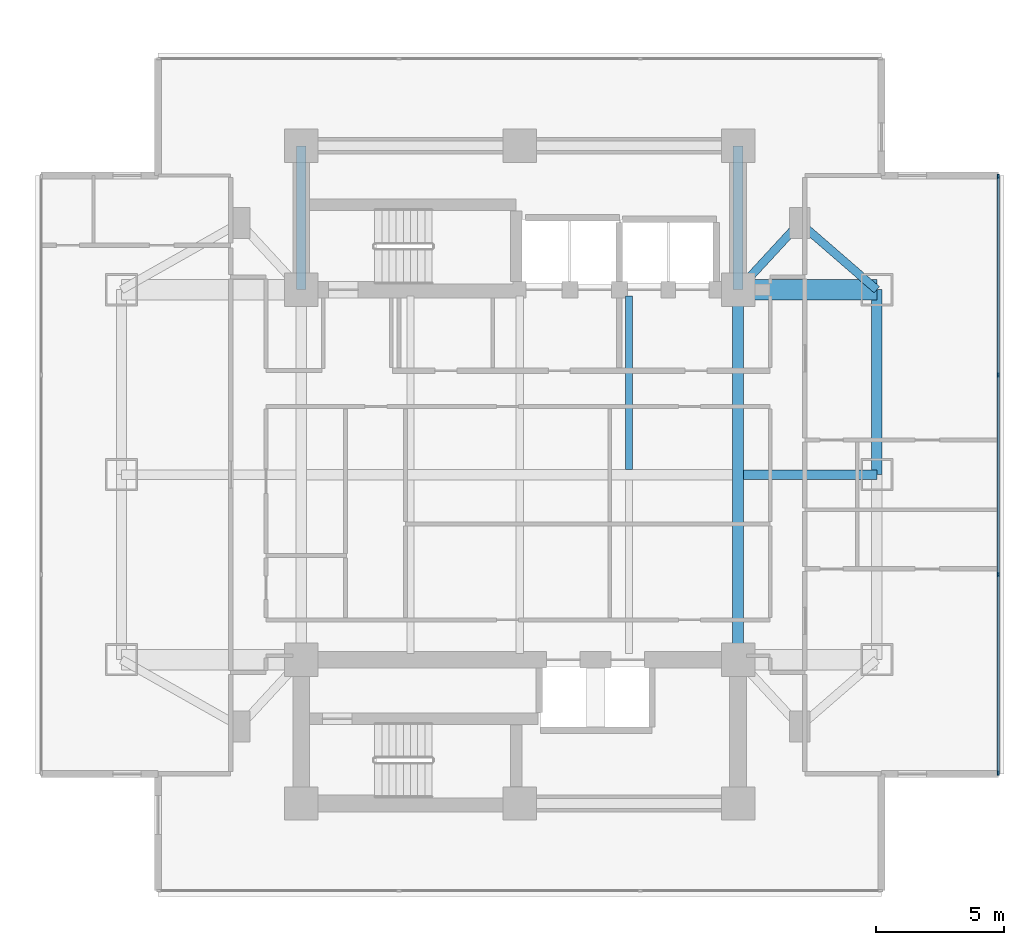
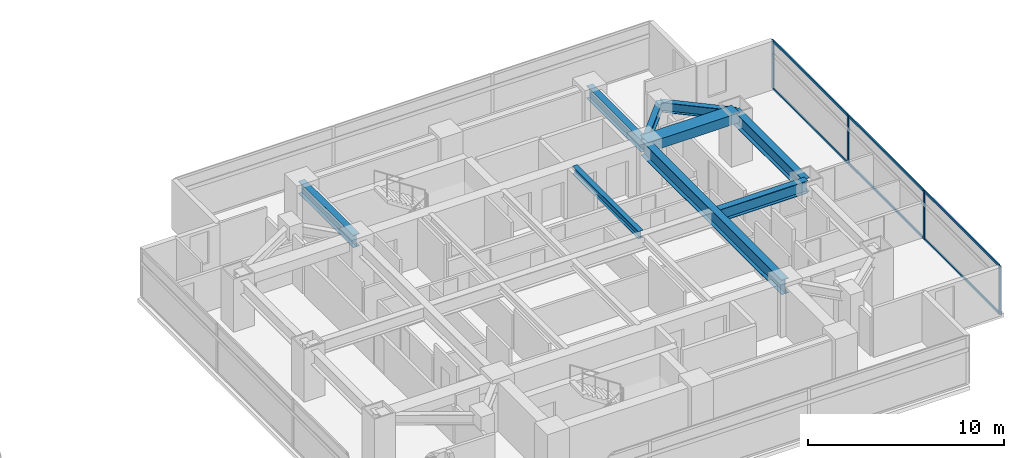
# One storey, part 10 of 24: 10 members, 9 beams, 1 element without a shape of its own.
"""IFC4 building model written with IfcOpenShell, lengths in metres."""

from ifc_helpers import new_model, si_unit, direction, frame, origin, origin_2d, place, context, subcontext, project, spatial, rectangle, i_section, extrude, material, material_profile, profile_set, type_object, element, aggregate, save


model = new_model("IFC4")

# Units and contexts
model_context = context("Model", 3, precision=1e-05, world=origin(), true_north=direction((0.0, 1.0)))
body_context = subcontext(model_context, "Body", "Model", "MODEL_VIEW")
ifc_project = project(units=[si_unit("LENGTHUNIT", "METRE"), si_unit("AREAUNIT", "SQUARE_METRE"), si_unit("VOLUMEUNIT", "CUBIC_METRE"), si_unit("PLANEANGLEUNIT", "RADIAN"), si_unit("MASSUNIT", "GRAM", prefix="KILO")], contexts=[model_context])

# Site, building, storey
site_placement = place(None, origin())
site = spatial("IfcSite", under=ifc_project, at=site_placement, CompositionType="ELEMENT")
building_placement = place(site_placement, origin())
building = spatial("IfcBuilding", under=site, at=building_placement, Name="Mirazonda Arch Towers", CompositionType="ELEMENT")
storey_placement = place(building_placement, frame((0.0, 0.0, 68.60009765625)))
storey = spatial("IfcBuildingStorey", under=building, at=storey_placement, Name="L19", CompositionType="ELEMENT", Elevation=68.60009765625)

# Beams
ifc_material_1 = material(Name="Steel ASTM A992 Grade 50", Category="steel")
ifc_material_profile_1 = material_profile(ifc_material_1, i_section(OverallWidth=0.39990234375, OverallDepth=0.85595703125, WebThickness=0.018310546875, FlangeThickness=0.029296875, at=origin_2d()), Name="W33X201")
ifc_profile_set_1 = profile_set([ifc_material_profile_1], Name="Steel ASTM A992 Grade 50")
beam_type_1 = type_object("IfcBeamType", Name="BM-EXT-W33X201", PredefinedType="USERDEFINED", material=ifc_profile_set_1)
beam_1_placement = place(storey_placement, frame((90.39990234375, 28.0, 2.6318359375), z_axis=(0.0, 1.0, 0.0), x_axis=(-1.0, 0.0, 0.0)))
element("IfcBeam", 1, at=beam_1_placement, inside=storey, type_object=beam_type_1, Name="L19 Floor Beam BM-T2-L19-NS-E-28", ObjectType="GIRDER", PredefinedType="USERDEFINED", context=body_context, shape_type="SweptSolid", body=[
    extrude(i_section(OverallWidth=0.39990234375, OverallDepth=0.85595703125, WebThickness=0.018310546875, FlangeThickness=0.029296875, at=origin_2d()), origin(), (0.0, 0.0, 1.0), 7.199951171875),
])
ifc_material_profile_2 = material_profile(ifc_material_1, i_section(OverallWidth=0.280029296875, OverallDepth=0.462890625, WebThickness=0.0107421875, FlangeThickness=0.017333984375, at=origin_2d()), Name="W18X76")
ifc_profile_set_2 = profile_set([ifc_material_profile_2], Name="Steel ASTM A992 Grade 50")
beam_type_2 = type_object("IfcBeamType", Name="BM-INT-W18X76", PredefinedType="JOIST", material=ifc_profile_set_2)
beam_2_placement = place(storey_placement, frame((80.75, 28.205078125, 2.828369140625), z_axis=(0.0, 1.0, 0.0), x_axis=(-1.0, 0.0, 0.0)))
element("IfcBeam", 2, at=beam_2_placement, inside=storey, type_object=beam_type_2, Name="L19 Floor Beam BM-T2-L19-J-807-28", PredefinedType="JOIST", context=body_context, shape_type="SweptSolid", body=[
    extrude(i_section(OverallWidth=0.280029296875, OverallDepth=0.462890625, WebThickness=0.0107421875, FlangeThickness=0.017333984375, at=origin_2d()), origin(), (0.0, 0.0, 1.0), 6.7548828125),
])
ifc_material_profile_3 = material_profile(ifc_material_1, i_section(OverallWidth=0.324951171875, OverallDepth=0.615966796875, WebThickness=0.013916015625, FlangeThickness=0.021484375, at=origin_2d()), Name="W24X117")
ifc_profile_set_3 = profile_set([ifc_material_profile_3], Name="Steel ASTM A992 Grade 50")
beam_type_3 = type_object("IfcBeamType", Name="BM-INT-W24X117", PredefinedType="BEAM", material=ifc_profile_set_3)
beam_3_placement = place(storey_placement, frame((87.39990234375, 37.800048828125, 2.751953125), z_axis=(-0.678251444854, -0.734829897019, 0.0), x_axis=(0.734829897019, -0.678251444854, 0.0)))
element("IfcBeam", 3, at=beam_3_placement, inside=storey, type_object=beam_type_3, Name="L19 Floor Beam BM-T2-L19-PL-NE1", PredefinedType="BEAM", context=body_context, shape_type="SweptSolid", body=[
    extrude(i_section(OverallWidth=0.324951171875, OverallDepth=0.615966796875, WebThickness=0.013916015625, FlangeThickness=0.021484375, at=origin_2d()), origin(), (0.0, 0.0, 1.0), 3.538330078125),
])
beam_4_placement = place(storey_placement, frame((87.39990234375, 37.800048828125, 2.751953125), z_axis=(0.755676908098, -0.654944585876, 0.0), x_axis=(0.654944585876, 0.755676908098, 0.0)))
element("IfcBeam", 4, at=beam_4_placement, inside=storey, type_object=beam_type_3, Name="L19 Floor Beam BM-T2-L19-PL-NE2", PredefinedType="BEAM", context=body_context, shape_type="SweptSolid", body=[
    extrude(i_section(OverallWidth=0.324951171875, OverallDepth=0.615966796875, WebThickness=0.013916015625, FlangeThickness=0.021484375, at=origin_2d()), origin(), (0.0, 0.0, 1.0), 3.969970703125),
])
ifc_material_profile_4 = material_profile(ifc_material_1, i_section(OverallWidth=0.381103515625, OverallDepth=0.77294921875, WebThickness=0.0166015625, FlangeThickness=0.027099609375, at=origin_2d()), Name="W30X173")
ifc_profile_set_4 = profile_set([ifc_material_profile_4], Name="Steel ASTM A992 Grade 50")
beam_type_4 = type_object("IfcBeamType", Name="BM-INT-W30X173", PredefinedType="USERDEFINED", material=ifc_profile_set_4)
for number, where, z_axis, x_axis, name in (
    (5, (68.0, 35.199951171875, 2.67333984375), (0.0, 1.0, 0.0), (-1.0, 0.0, 0.0), "L19 Floor Beam BM-T2-L19-CNW"),
    (6, (85.0, 35.199951171875, 2.67333984375), (0.0, 1.0, 0.0), (-1.0, 0.0, 0.0), "L19 Floor Beam BM-T2-L19-CNE"),
):
    element("IfcBeam", number, at=place(storey_placement, frame(where, z_axis=z_axis, x_axis=x_axis)), inside=storey, type_object=beam_type_4, Name=name, ObjectType="GIRDER", PredefinedType="USERDEFINED", context=body_context, shape_type="SweptSolid", body=[
        extrude(i_section(OverallWidth=0.381103515625, OverallDepth=0.77294921875, WebThickness=0.0166015625, FlangeThickness=0.027099609375, at=origin_2d()), origin(), (0.0, 0.0, 1.0), 5.60009765625),
    ])
beam_5_placement = place(storey_placement, frame((85.208984375, 28.0, 2.67333984375), z_axis=(1.0, 0.0, 0.0), x_axis=(0.0, 1.0, 0.0)))
element("IfcBeam", 7, at=beam_5_placement, inside=storey, type_object=beam_type_4, Name="L19 Floor Beam BM-T2-L19-GE2", ObjectType="GIRDER", PredefinedType="USERDEFINED", context=body_context, shape_type="SweptSolid", body=[
    extrude(i_section(OverallWidth=0.381103515625, OverallDepth=0.77294921875, WebThickness=0.0166015625, FlangeThickness=0.027099609375, at=origin_2d()), origin(), (0.0, 0.0, 1.0), 5.19091796875),
])
ifc_material_profile_5 = material_profile(ifc_material_1, i_section(OverallWidth=0.41796875, OverallDepth=0.927001953125, WebThickness=0.019287109375, FlangeThickness=0.031982421875, at=origin_2d()), Name="W36X231")
ifc_profile_set_5 = profile_set([ifc_material_profile_5], Name="Steel ASTM A992 Grade 50")
beam_type_5 = type_object("IfcBeamType", Name="BM-INT-W36X231", PredefinedType="USERDEFINED", material=ifc_profile_set_5)
beam_6_placement = place(storey_placement, frame((85.0, 20.800048828125, 2.596435546875), z_axis=(0.0, 1.0, 0.0), x_axis=(-1.0, 0.0, 0.0)))
element("IfcBeam", 8, at=beam_6_placement, inside=storey, type_object=beam_type_5, Name="L19 Floor Beam BM-T2-L19-NS-CE-FULL", ObjectType="GIRDER", PredefinedType="USERDEFINED", context=body_context, shape_type="SweptSolid", body=[
    extrude(i_section(OverallWidth=0.41796875, OverallDepth=0.927001953125, WebThickness=0.019287109375, FlangeThickness=0.031982421875, at=origin_2d()), origin(), (0.0, 0.0, 1.0), 14.39990234375),
])
ifc_material_2 = material(Name="Concrete C60/75", Category="concrete")
ifc_material_profile_6 = material_profile(ifc_material_2, rectangle(XDim=0.800048828125, YDim=0.60009765625, at=origin_2d()), Name="RCCB800x600")
ifc_profile_set_6 = profile_set([ifc_material_profile_6], Name="Concrete C60/75")
beam_type_6 = type_object("IfcBeamType", Name="CB-INT-RCCB800x600", PredefinedType="SPANDREL", material=ifc_profile_set_6)
beam_7_placement = place(storey_placement, frame((85.0, 35.199951171875, 2.760009765625), z_axis=(1.0, 0.0, 0.0), x_axis=(0.0, 1.0, 0.0)))
element("IfcBeam", 9, at=beam_7_placement, inside=storey, type_object=beam_type_6, Name="L19 Floor Beam CBC-T2-L19-NE", PredefinedType="SPANDREL", context=body_context, shape_type="SweptSolid", body=[
    extrude(rectangle(XDim=0.800048828125, YDim=0.60009765625, at=origin_2d()), origin(), (0.0, 0.0, 1.0), 5.39990234375),
])

# Curtain wall, members
ifc_material_3 = material(Name="Anodised Aluminium and Low-E Glass", Category="aluminium")
curtain_wall_type = type_object("IfcCurtainWallType", Name="CW-HTL-UNIT", PredefinedType="NOTDEFINED", material=ifc_material_3)
curtain_wall_placement = place(storey_placement, origin())
curtain_wall = element("IfcCurtainWall", 10, at=curtain_wall_placement, inside=storey, type_object=curtain_wall_type, Name="L19 T2 E Facade CW-L19-T2-E", PredefinedType="NOTDEFINED")
ifc_material_4 = material(Name="Anodised Aluminium Alloy", Category="aluminium")
ifc_material_profile_7 = material_profile(ifc_material_4, rectangle(XDim=0.074951171875, YDim=0.1650390625, at=origin_2d()), Name="ALU-MULL-75x165")
ifc_profile_set_7 = profile_set([ifc_material_profile_7], Name="Anodised Aluminium Alloy")
member_type_1 = type_object("IfcMemberType", Name="MULL-CW-HTL-UNIT", PredefinedType="MULLION", material=ifc_profile_set_7)
member_1_placement = place(storey_placement, frame((95.1298828125, 16.39111328125, 0.0), z_axis=(0.0, 0.0, 1.0), x_axis=(-1.0, 0.0, 0.0)))
member_1 = element("IfcMember", 11, at=member_1_placement, type_object=member_type_1, Name="CW-112 mullion 1", PredefinedType="MULLION", context=body_context, shape_type="SweptSolid", body=[
    extrude(rectangle(XDim=0.074951171875, YDim=0.1650390625, at=origin_2d()), origin(), (0.0, 0.0, 1.0), 3.039794921875),
])
member_2_placement = place(storey_placement, frame((95.1298828125, 24.117919921875, 0.0), z_axis=(0.0, 0.0, 1.0), x_axis=(-1.0, 0.0, 0.0)))
member_2 = element("IfcMember", 12, at=member_2_placement, type_object=member_type_1, Name="CW-112 mullion 2", PredefinedType="MULLION", context=body_context, shape_type="SweptSolid", body=[
    extrude(rectangle(XDim=0.074951171875, YDim=0.1650390625, at=origin_2d()), origin(), (0.0, 0.0, 1.0), 3.039794921875),
])
member_3_placement = place(storey_placement, frame((95.1298828125, 31.882080078125, 0.0), z_axis=(0.0, 0.0, 1.0), x_axis=(-1.0, 0.0, 0.0)))
member_3 = element("IfcMember", 13, at=member_3_placement, type_object=member_type_1, Name="CW-112 mullion 3", PredefinedType="MULLION", context=body_context, shape_type="SweptSolid", body=[
    extrude(rectangle(XDim=0.074951171875, YDim=0.1650390625, at=origin_2d()), origin(), (0.0, 0.0, 1.0), 3.039794921875),
])
member_4_placement = place(storey_placement, frame((95.1298828125, 39.60888671875, 0.0), z_axis=(0.0, 0.0, 1.0), x_axis=(-1.0, 0.0, 0.0)))
member_4 = element("IfcMember", 14, at=member_4_placement, type_object=member_type_1, Name="CW-112 mullion 4", PredefinedType="MULLION", context=body_context, shape_type="SweptSolid", body=[
    extrude(rectangle(XDim=0.074951171875, YDim=0.1650390625, at=origin_2d()), origin(), (0.0, 0.0, 1.0), 3.039794921875),
])
ifc_material_profile_8 = material_profile(ifc_material_4, rectangle(XDim=0.074951171875, YDim=0.14501953125, at=origin_2d()), Name="ALU-TRAN-75x145")
ifc_profile_set_8 = profile_set([ifc_material_profile_8], Name="Anodised Aluminium Alloy")
member_type_2 = type_object("IfcMemberType", Name="TRAN-CW-HTL-UNIT", PredefinedType="USERDEFINED", material=ifc_profile_set_8)
member_5_placement = place(storey_placement, frame((95.1298828125, 16.428466796875, 0.037353515625), z_axis=(0.0, 1.0, 0.0), x_axis=(-1.0, 0.0, 0.0)))
member_5 = element("IfcMember", 15, at=member_5_placement, type_object=member_type_2, Name="CW-112 transom 1.1", ObjectType="TRANSOM", PredefinedType="USERDEFINED", context=body_context, shape_type="SweptSolid", body=[
    extrude(rectangle(XDim=0.074951171875, YDim=0.14501953125, at=origin_2d()), origin(), (0.0, 0.0, 1.0), 7.65185546875),
])
member_6_placement = place(storey_placement, frame((95.1298828125, 16.428466796875, 3.00244140625), z_axis=(0.0, 1.0, 0.0), x_axis=(-1.0, 0.0, 0.0)))
member_6 = element("IfcMember", 16, at=member_6_placement, type_object=member_type_2, Name="CW-112 transom 1.2", ObjectType="TRANSOM", PredefinedType="USERDEFINED", context=body_context, shape_type="SweptSolid", body=[
    extrude(rectangle(XDim=0.074951171875, YDim=0.14501953125, at=origin_2d()), origin(), (0.0, 0.0, 1.0), 7.65185546875),
])
member_7_placement = place(storey_placement, frame((95.1298828125, 24.1552734375, 0.037353515625), z_axis=(0.0, 1.0, 0.0), x_axis=(-1.0, 0.0, 0.0)))
member_7 = element("IfcMember", 17, at=member_7_placement, type_object=member_type_2, Name="CW-112 transom 2.1", ObjectType="TRANSOM", PredefinedType="USERDEFINED", context=body_context, shape_type="SweptSolid", body=[
    extrude(rectangle(XDim=0.074951171875, YDim=0.14501953125, at=origin_2d()), origin(), (0.0, 0.0, 1.0), 7.689453125),
])
member_8_placement = place(storey_placement, frame((95.1298828125, 24.1552734375, 3.00244140625), z_axis=(0.0, 1.0, 0.0), x_axis=(-1.0, 0.0, 0.0)))
member_8 = element("IfcMember", 18, at=member_8_placement, type_object=member_type_2, Name="CW-112 transom 2.2", ObjectType="TRANSOM", PredefinedType="USERDEFINED", context=body_context, shape_type="SweptSolid", body=[
    extrude(rectangle(XDim=0.074951171875, YDim=0.14501953125, at=origin_2d()), origin(), (0.0, 0.0, 1.0), 7.689453125),
])
member_9_placement = place(storey_placement, frame((95.1298828125, 31.919677734375, 0.037353515625), z_axis=(0.0, 1.0, 0.0), x_axis=(-1.0, 0.0, 0.0)))
member_9 = element("IfcMember", 19, at=member_9_placement, type_object=member_type_2, Name="CW-112 transom 3.1", ObjectType="TRANSOM", PredefinedType="USERDEFINED", context=body_context, shape_type="SweptSolid", body=[
    extrude(rectangle(XDim=0.074951171875, YDim=0.14501953125, at=origin_2d()), origin(), (0.0, 0.0, 1.0), 7.65185546875),
])
member_10_placement = place(storey_placement, frame((95.1298828125, 31.919677734375, 3.00244140625), z_axis=(0.0, 1.0, 0.0), x_axis=(-1.0, 0.0, 0.0)))
member_10 = element("IfcMember", 20, at=member_10_placement, type_object=member_type_2, Name="CW-112 transom 3.2", ObjectType="TRANSOM", PredefinedType="USERDEFINED", context=body_context, shape_type="SweptSolid", body=[
    extrude(rectangle(XDim=0.074951171875, YDim=0.14501953125, at=origin_2d()), origin(), (0.0, 0.0, 1.0), 7.65185546875),
])
aggregate(curtain_wall, [member_1, member_2, member_3, member_4, member_5, member_6, member_7, member_8, member_9, member_10])

save(model, "model.ifc")
